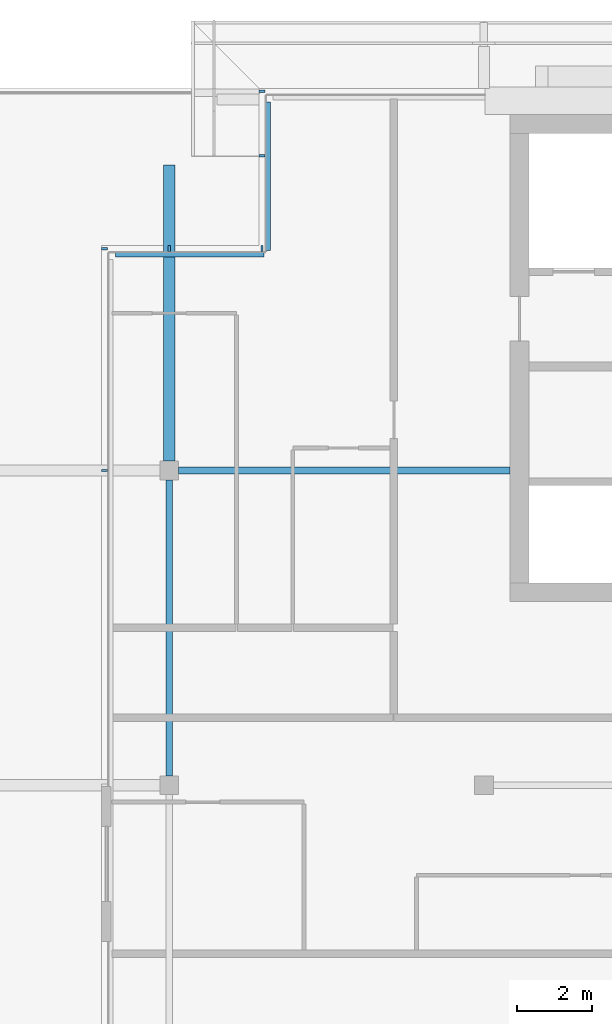
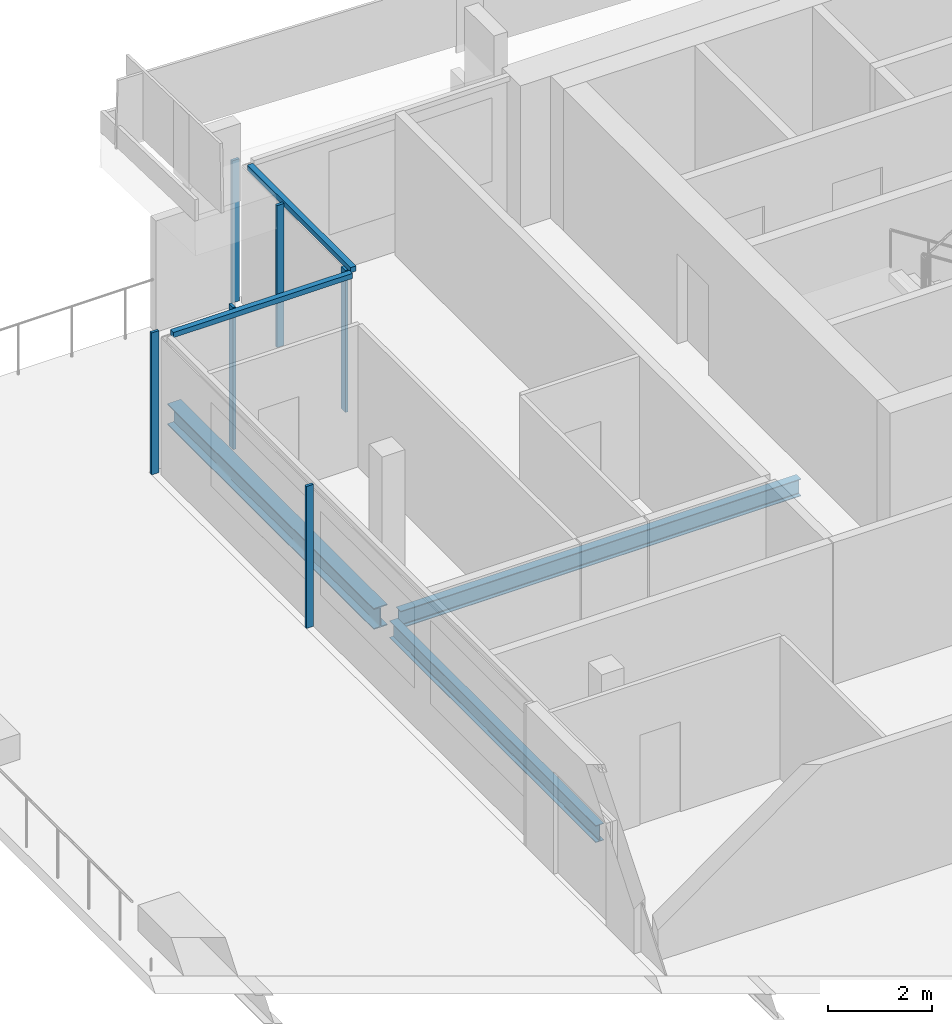
# One storey, part 9 of 29: 8 members, 3 beams, 3 elements without a shape of their own.
"""IFC4 building model written with IfcOpenShell, lengths in metres."""

from ifc_helpers import new_model, si_unit, direction, frame, origin, origin_2d, place, context, subcontext, project, spatial, rectangle, i_section, extrude, material, material_profile, profile_set, type_object, element, aggregate, save


model = new_model("IFC4")

# Units and contexts
model_context = context("Model", 3, precision=1e-05, world=origin(), true_north=direction((0.0, 1.0)))
body_context = subcontext(model_context, "Body", "Model", "MODEL_VIEW")
ifc_project = project(units=[si_unit("LENGTHUNIT", "METRE"), si_unit("AREAUNIT", "SQUARE_METRE"), si_unit("VOLUMEUNIT", "CUBIC_METRE"), si_unit("PLANEANGLEUNIT", "RADIAN"), si_unit("MASSUNIT", "GRAM", prefix="KILO")], contexts=[model_context])

# Site, building, storey
site_placement = place(None, origin())
site = spatial("IfcSite", under=ifc_project, at=site_placement, CompositionType="ELEMENT")
building_placement = place(site_placement, origin())
building = spatial("IfcBuilding", under=site, at=building_placement, Name="Saffron Gate Tower", CompositionType="ELEMENT")
storey_placement = place(building_placement, frame((0.0, 0.0, 270.75)))
storey = spatial("IfcBuildingStorey", under=building, at=storey_placement, Name="L65", CompositionType="ELEMENT", Elevation=270.75)

# Beams
ifc_material_1 = material(Name="Structural steel S355", Category="steel")
ifc_material_profile_1 = material_profile(ifc_material_1, i_section(OverallWidth=0.179931640625, OverallDepth=0.39990234375, WebThickness=0.008544921875, FlangeThickness=0.013427734375, FilletRadius=0.02099609375, at=origin_2d()))
ifc_profile_set_1 = profile_set([ifc_material_profile_1], Name="Structural steel S355")
beam_type_1 = type_object("IfcBeamType", Name="B4 IPE 400", PredefinedType="BEAM", material=ifc_profile_set_1)
beam_1_placement = place(storey_placement, frame((58.449951171875, 65.39990234375, -0.47998046875), z_axis=(1.0, 0.0, 0.0), x_axis=(0.0, 1.0, 0.0)))
element("IfcBeam", 1, at=beam_1_placement, inside=storey, type_object=beam_type_1, Name="B4 CORE TIE BEAM", PredefinedType="BEAM", context=body_context, shape_type="SweptSolid", body=[
    extrude(i_section(OverallWidth=0.179931640625, OverallDepth=0.39990234375, WebThickness=0.008544921875, FlangeThickness=0.013427734375, FilletRadius=0.02099609375, at=origin_2d()), origin(), (0.0, 0.0, 1.0), 8.85009765625),
])
ifc_material_profile_2 = material_profile(ifc_material_1, i_section(OverallWidth=0.179931640625, OverallDepth=0.39990234375, WebThickness=0.008544921875, FlangeThickness=0.013427734375, FilletRadius=0.02099609375, at=origin_2d()))
ifc_profile_set_2 = profile_set([ifc_material_profile_2], Name="Structural steel S355")
beam_type_2 = type_object("IfcBeamType", Name="B5 IPE 400", PredefinedType="SPANDREL", material=ifc_profile_set_2)
beam_2_placement = place(storey_placement, frame((58.199951171875, 57.25, -0.47998046875), z_axis=(0.0, 1.0, 0.0), x_axis=(-1.0, 0.0, 0.0)))
element("IfcBeam", 2, at=beam_2_placement, inside=storey, type_object=beam_type_2, Name="B5 SPANDREL BEAM", PredefinedType="SPANDREL", context=body_context, shape_type="SweptSolid", body=[
    extrude(i_section(OverallWidth=0.179931640625, OverallDepth=0.39990234375, WebThickness=0.008544921875, FlangeThickness=0.013427734375, FilletRadius=0.02099609375, at=origin_2d()), origin(), (0.0, 0.0, 1.0), 7.89990234375),
])
ifc_material_profile_3 = material_profile(ifc_material_1, i_section(OverallWidth=0.300048828125, OverallDepth=0.489990234375, WebThickness=0.011962890625, FlangeThickness=0.02294921875, FilletRadius=0.027099609375, at=origin_2d()))
ifc_profile_set_3 = profile_set([ifc_material_profile_3], Name="Structural steel S355")
beam_type_3 = type_object("IfcBeamType", Name="B8 HEA 500", PredefinedType="BEAM", material=ifc_profile_set_3)
beam_3_placement = place(storey_placement, frame((58.199951171875, 65.64990234375, -0.52490234375), z_axis=(0.0, 1.0, 0.0), x_axis=(-1.0, 0.0, 0.0)))
element("IfcBeam", 3, at=beam_3_placement, inside=storey, type_object=beam_type_3, Name="B8 TERRACE BEAM", PredefinedType="BEAM", context=body_context, shape_type="SweptSolid", body=[
    extrude(i_section(OverallWidth=0.300048828125, OverallDepth=0.489990234375, WebThickness=0.011962890625, FlangeThickness=0.02294921875, FilletRadius=0.027099609375, at=origin_2d()), origin(), (0.0, 0.0, 1.0), 7.900146484375),
])

# Curtain wall, members
ifc_material_2 = material(Name="Aluminium, bronze anodised", Category="aluminium")
curtain_wall_type_1 = type_object("IfcCurtainWallType", Name="CWS2 curtain wall side facades", PredefinedType="NOTDEFINED", material=ifc_material_2)
curtain_wall_1_placement = place(storey_placement, origin())
curtain_wall_1 = element("IfcCurtainWall", 4, at=curtain_wall_1_placement, inside=storey, type_object=curtain_wall_type_1, Name="CWS2 run 10", PredefinedType="NOTDEFINED")
ifc_material_profile_4 = material_profile(ifc_material_2, rectangle(XDim=0.159912109375, YDim=0.06005859375, at=origin_2d()))
ifc_profile_set_4 = profile_set([ifc_material_profile_4], Name="Aluminium, bronze anodised")
member_type_1 = type_object("IfcMemberType", Name="CWS2 mullion 60x160", PredefinedType="MULLION", material=ifc_profile_set_4)
member_1_placement = place(storey_placement, frame((56.47998046875, 71.320068359375, 0.0), z_axis=(0.0, 0.0, 1.0), x_axis=(1.0, 0.0, 0.0)))
member_1 = element("IfcMember", 5, at=member_1_placement, type_object=member_type_1, Name="CWS2 mullion 1", PredefinedType="MULLION", context=body_context, shape_type="SweptSolid", body=[
    extrude(rectangle(XDim=0.159912109375, YDim=0.06005859375, at=origin_2d()), origin(), (0.0, 0.0, 1.0), 3.320068359375),
])
member_2_placement = place(storey_placement, frame((56.47998046875, 65.39990234375, 0.0), z_axis=(0.0, 0.0, 1.0), x_axis=(1.0, 0.0, 0.0)))
member_2 = element("IfcMember", 6, at=member_2_placement, type_object=member_type_1, Name="CWS2 mullion 2", PredefinedType="MULLION", context=body_context, shape_type="SweptSolid", body=[
    extrude(rectangle(XDim=0.159912109375, YDim=0.06005859375, at=origin_2d()), origin(), (0.0, 0.0, 1.0), 3.320068359375),
])
aggregate(curtain_wall_1, [member_1, member_2])

# Curtain wall, member
curtain_wall_type_2 = type_object("IfcCurtainWallType", Name="CWS4 curtain wall corner returns", PredefinedType="NOTDEFINED", material=ifc_material_2)
curtain_wall_2_placement = place(storey_placement, origin())
curtain_wall_2 = element("IfcCurtainWall", 7, at=curtain_wall_2_placement, inside=storey, type_object=curtain_wall_type_2, Name="CWS4 run 8", PredefinedType="NOTDEFINED")
ifc_material_profile_5 = material_profile(ifc_material_2, rectangle(XDim=0.1201171875, YDim=0.1201171875, at=origin_2d()))
ifc_profile_set_5 = profile_set([ifc_material_profile_5], Name="Aluminium, bronze anodised")
member_type_2 = type_object("IfcMemberType", Name="CWS4 head transom", PredefinedType="USERDEFINED", material=ifc_profile_set_5)
member_3_placement = place(storey_placement, frame((60.847900390625, 75.23193359375, 3.260009765625), z_axis=(0.0, -1.0, 0.0), x_axis=(1.0, 0.0, 0.0)))
member_3 = element("IfcMember", 8, at=member_3_placement, type_object=member_type_2, Name="CWS4 head transom", ObjectType="TRANSOM", PredefinedType="USERDEFINED", context=body_context, shape_type="SweptSolid", body=[
    extrude(rectangle(XDim=0.1201171875, YDim=0.1201171875, at=origin_2d()), origin(), (0.0, 0.0, 1.0), 3.9599609375),
])

curtain_wall_3_placement = place(storey_placement, origin())
curtain_wall_3 = element("IfcCurtainWall", 9, at=curtain_wall_3_placement, inside=storey, type_object=curtain_wall_type_2, Name="CWS4 run 9", PredefinedType="NOTDEFINED")
member_4_placement = place(storey_placement, frame((60.72802734375, 71.152099609375, 3.260009765625), z_axis=(-1.0, 0.0, 0.0), x_axis=(0.0, -1.0, 0.0)))
member_4 = element("IfcMember", 10, at=member_4_placement, type_object=member_type_2, Name="CWS4 head transom", ObjectType="TRANSOM", PredefinedType="USERDEFINED", context=body_context, shape_type="SweptSolid", body=[
    extrude(rectangle(XDim=0.1201171875, YDim=0.1201171875, at=origin_2d()), origin(), (0.0, 0.0, 1.0), 3.9599609375),
])

# Member
ifc_material_profile_6 = material_profile(ifc_material_2, rectangle(XDim=0.159912109375, YDim=0.06005859375, at=origin_2d()))
ifc_profile_set_6 = profile_set([ifc_material_profile_6], Name="Aluminium, bronze anodised")
member_type_3 = type_object("IfcMemberType", Name="CWS4 mullion 60x160", PredefinedType="MULLION", material=ifc_profile_set_6)
member_5_placement = place(storey_placement, frame((60.679931640625, 75.52001953125, 0.0), z_axis=(0.0, 0.0, 1.0), x_axis=(1.0, 0.0, 0.0)))
member_5 = element("IfcMember", 11, at=member_5_placement, type_object=member_type_3, Name="CWS4 mullion 1", PredefinedType="MULLION", context=body_context, shape_type="SweptSolid", body=[
    extrude(rectangle(XDim=0.159912109375, YDim=0.06005859375, at=origin_2d()), origin(), (0.0, 0.0, 1.0), 3.320068359375),
])

member_6_placement = place(storey_placement, frame((60.679931640625, 73.800048828125, 0.0), z_axis=(0.0, 0.0, 1.0), x_axis=(1.0, 0.0, 0.0)))
member_6 = element("IfcMember", 12, at=member_6_placement, type_object=member_type_3, Name="CWS4 mullion 2", PredefinedType="MULLION", context=body_context, shape_type="SweptSolid", body=[
    extrude(rectangle(XDim=0.159912109375, YDim=0.06005859375, at=origin_2d()), origin(), (0.0, 0.0, 1.0), 3.320068359375),
])

aggregate(curtain_wall_2, [member_5, member_6, member_3])

member_7_placement = place(storey_placement, frame((60.679931640625, 71.320068359375, 0.0), z_axis=(0.0, 0.0, 1.0), x_axis=(0.0, -1.0, 0.0)))
member_7 = element("IfcMember", 13, at=member_7_placement, type_object=member_type_3, Name="CWS4 mullion 1", PredefinedType="MULLION", context=body_context, shape_type="SweptSolid", body=[
    extrude(rectangle(XDim=0.159912109375, YDim=0.06005859375, at=origin_2d()), origin(), (0.0, 0.0, 1.0), 3.320068359375),
])

member_8_placement = place(storey_placement, frame((58.199951171875, 71.320068359375, 0.0), z_axis=(0.0, 0.0, 1.0), x_axis=(0.0, -1.0, 0.0)))
member_8 = element("IfcMember", 14, at=member_8_placement, type_object=member_type_3, Name="CWS4 mullion 2", PredefinedType="MULLION", context=body_context, shape_type="SweptSolid", body=[
    extrude(rectangle(XDim=0.159912109375, YDim=0.06005859375, at=origin_2d()), origin(), (0.0, 0.0, 1.0), 3.320068359375),
])

aggregate(curtain_wall_3, [member_7, member_8, member_4])

save(model, "model.ifc")
